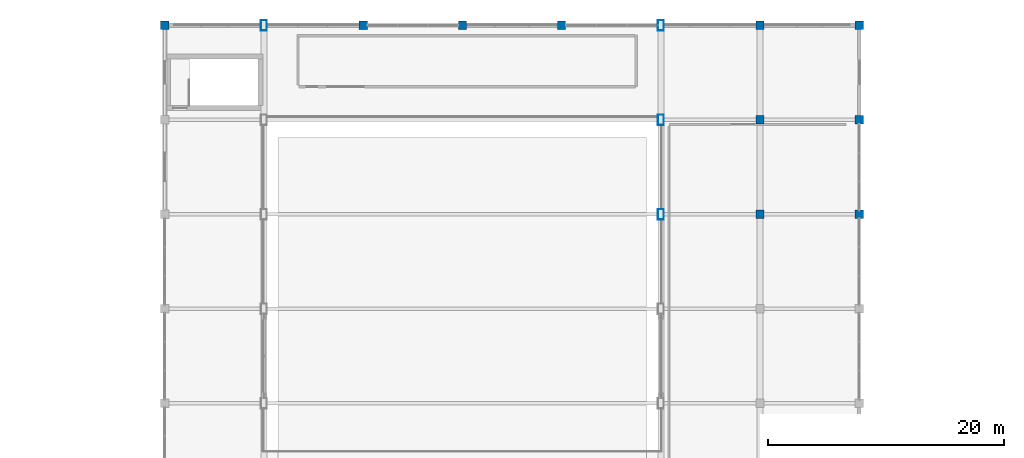
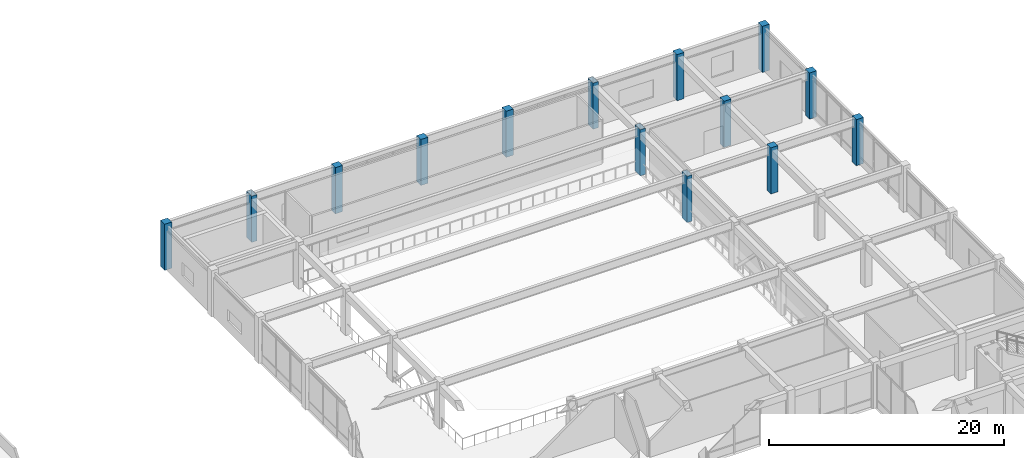
# One storey, part 7 of 76: 14 columns.
"""IFC4 building model written with IfcOpenShell, lengths in metres."""

from ifc_helpers import new_model, si_unit, direction, frame, origin, origin_2d, place, context, subcontext, project, spatial, rectangle, hollow_rectangle, extrude, material, material_profile, profile_set, type_object, element, save


model = new_model("IFC4")

# Units and contexts
model_context = context("Model", 3, precision=1e-05, world=origin(), true_north=direction((0.0, 1.0)))
body_context = subcontext(model_context, "Body", "Model", "MODEL_VIEW")
ifc_project = project(units=[si_unit("LENGTHUNIT", "METRE"), si_unit("AREAUNIT", "SQUARE_METRE"), si_unit("VOLUMEUNIT", "CUBIC_METRE"), si_unit("PLANEANGLEUNIT", "RADIAN"), si_unit("MASSUNIT", "GRAM", prefix="KILO")], contexts=[model_context])

# Site, building, storey
site_placement = place(None, origin())
site = spatial("IfcSite", under=ifc_project, at=site_placement, CompositionType="ELEMENT")
building_placement = place(site_placement, origin())
building = spatial("IfcBuilding", under=site, at=building_placement, Name="Naruveol Harbour Congress Hotel", CompositionType="ELEMENT")
storey_placement = place(building_placement, frame((0.0, 0.0, 11.39990234375)))
storey = spatial("IfcBuildingStorey", under=building, at=storey_placement, Name="L02", CompositionType="ELEMENT", Elevation=11.39990234375)

# Columns
ifc_material_1 = material(Name="Concrete C40/50", Category="concrete")
ifc_material_profile_1 = material_profile(ifc_material_1, rectangle(XDim=0.699951171875, YDim=0.699951171875, at=origin_2d()), Name="RC-700x700")
ifc_profile_set_1 = profile_set([ifc_material_profile_1], Name="Concrete C40/50")
column_type_1 = type_object("IfcColumnType", Name="RC HOTEL COLUMN 700X700", PredefinedType="COLUMN", material=ifc_profile_set_1)
for number, where, z_axis, x_axis, name in (
    (1, (67.199951171875, 112.0, 0.0), (0.0, 0.0, 1.0), (1.0, 0.0, 0.0), "Column C-700 L02 (67.2,112.0)"),
    (2, (84.0, 112.0, 0.0), (0.0, 0.0, 1.0), (1.0, 0.0, 0.0), "Column C-700 L02 (84.0,112.0)"),
    (3, (92.39990234375, 112.0, 0.0), (0.0, 0.0, 1.0), (1.0, 0.0, 0.0), "Column C-700 L02 (92.4,112.0)"),
    (4, (100.800048828125, 112.0, 0.0), (0.0, 0.0, 1.0), (1.0, 0.0, 0.0), "Column C-700 L02 (100.8,112.0)"),
    (5, (117.60009765625, 96.0, 0.0), (0.0, 0.0, 1.0), (1.0, 0.0, 0.0), "Column C-700 L02 (117.6,96.0)"),
    (6, (117.60009765625, 104.0, 0.0), (0.0, 0.0, 1.0), (1.0, 0.0, 0.0), "Column C-700 L02 (117.6,104.0)"),
    (7, (117.60009765625, 112.0, 0.0), (0.0, 0.0, 1.0), (1.0, 0.0, 0.0), "Column C-700 L02 (117.6,112.0)"),
    (8, (126.0, 96.0, 0.0), (0.0, 0.0, 1.0), (1.0, 0.0, 0.0), "Column C-700 L02 (126.0,96.0)"),
    (9, (126.0, 104.0, 0.0), (0.0, 0.0, 1.0), (1.0, 0.0, 0.0), "Column C-700 L02 (126.0,104.0)"),
    (10, (126.0, 112.0, 0.0), (0.0, 0.0, 1.0), (1.0, 0.0, 0.0), "Column C-700 L02 (126.0,112.0)"),
):
    element("IfcColumn", number, at=place(storey_placement, frame(where, z_axis=z_axis, x_axis=x_axis)), inside=storey, type_object=column_type_1, Name=name, PredefinedType="COLUMN", context=body_context, shape_type="SweptSolid", body=[
        extrude(rectangle(XDim=0.699951171875, YDim=0.699951171875, at=origin_2d()), origin(), (0.0, 0.0, 1.0), 4.800048828125),
    ])
ifc_material_2 = material(Name="Steel SN490", Category="steel")
ifc_material_profile_2 = material_profile(ifc_material_2, hollow_rectangle(XDim=0.5, YDim=0.89990234375, WallThickness=0.02392578125, at=origin_2d()), Name="RHS-900x500x24")
ifc_profile_set_2 = profile_set([ifc_material_profile_2], Name="Steel SN490")
column_type_2 = type_object("IfcColumnType", Name="STEEL HALL COLUMN H900X300", PredefinedType="COLUMN", material=ifc_profile_set_2)
for number, where, z_axis, x_axis, name in (
    (11, (75.60009765625, 112.0, 0.0), (0.0, 0.0, 1.0), (1.0, 0.0, 0.0), "Column SC-H900 L02 (75.6,112.0)"),
    (12, (109.199951171875, 96.0, 0.0), (0.0, 0.0, 1.0), (1.0, 0.0, 0.0), "Column SC-H900 L02 (109.2,96.0)"),
    (13, (109.199951171875, 104.0, 0.0), (0.0, 0.0, 1.0), (1.0, 0.0, 0.0), "Column SC-H900 L02 (109.2,104.0)"),
    (14, (109.199951171875, 112.0, 0.0), (0.0, 0.0, 1.0), (1.0, 0.0, 0.0), "Column SC-H900 L02 (109.2,112.0)"),
):
    element("IfcColumn", number, at=place(storey_placement, frame(where, z_axis=z_axis, x_axis=x_axis)), inside=storey, type_object=column_type_2, Name=name, PredefinedType="COLUMN", context=body_context, shape_type="SweptSolid", body=[
        extrude(hollow_rectangle(XDim=0.5, YDim=0.89990234375, WallThickness=0.02392578125, at=origin_2d()), origin(), (0.0, 0.0, 1.0), 4.800048828125),
    ])

save(model, "model.ifc")
